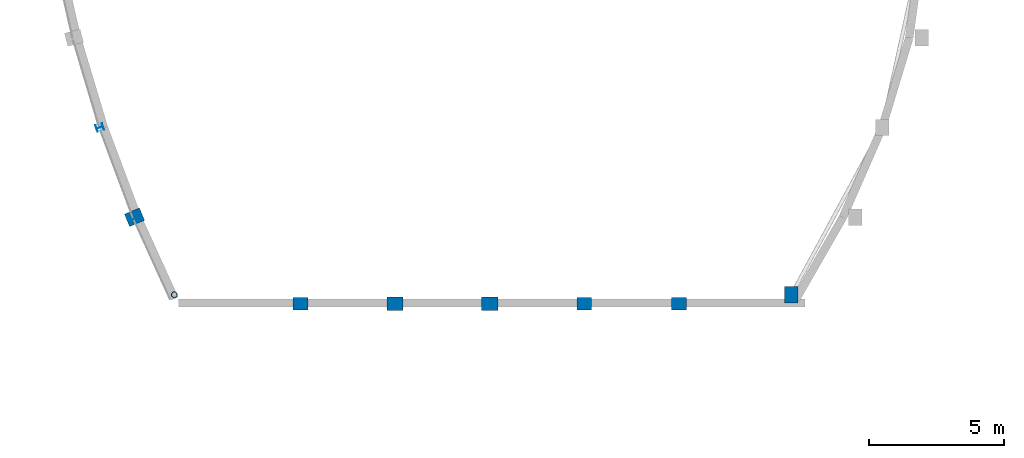
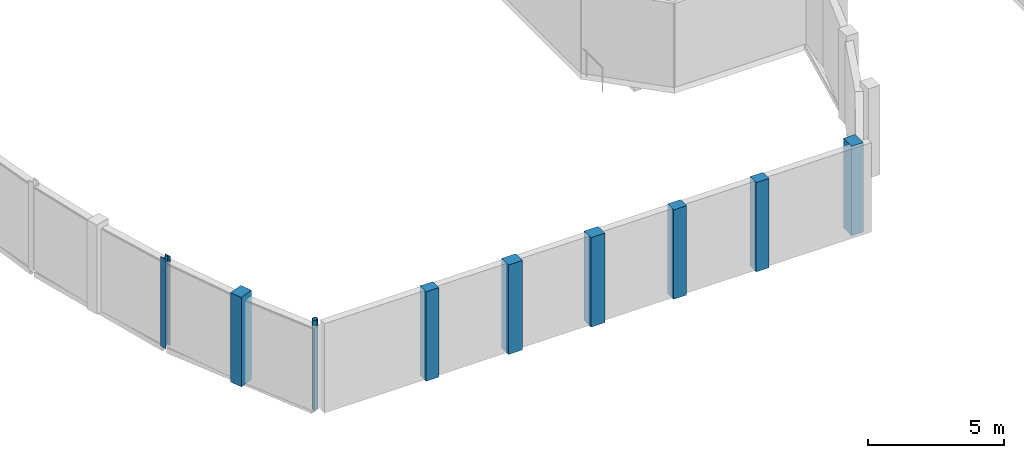
# One storey, part 1 of 92: 9 columns.
"""IFC4 building model written with IfcOpenShell, lengths in metres."""

from ifc_helpers import new_model, si_unit, direction, frame, origin, origin_2d, place, context, subcontext, project, spatial, rectangle, hollow_circle, i_section, extrude, material, material_profile, profile_set, type_object, element, save


model = new_model("IFC4")

# Units and contexts
model_context = context("Model", 3, precision=1e-05, world=origin(), true_north=direction((0.0, 1.0)))
body_context = subcontext(model_context, "Body", "Model", "MODEL_VIEW")
ifc_project = project(units=[si_unit("LENGTHUNIT", "METRE"), si_unit("AREAUNIT", "SQUARE_METRE"), si_unit("VOLUMEUNIT", "CUBIC_METRE"), si_unit("PLANEANGLEUNIT", "RADIAN"), si_unit("MASSUNIT", "GRAM", prefix="KILO")], contexts=[model_context])

# Site, building, storey
site_placement = place(None, origin())
site = spatial("IfcSite", under=ifc_project, at=site_placement, CompositionType="ELEMENT")
building_placement = place(site_placement, origin())
building = spatial("IfcBuilding", under=site, at=building_placement, Name="Kelanivale Promenade Academy", CompositionType="ELEMENT")
storey_placement = place(building_placement, frame((0.0, 0.0, 8.199951171875)))
storey = spatial("IfcBuildingStorey", under=building, at=storey_placement, Name="L02", CompositionType="ELEMENT", Elevation=8.199951171875)

# Columns
ifc_material_1 = material(Name="Concrete C40/50", Category="concrete")
ifc_material_profile_1 = material_profile(ifc_material_1, rectangle(XDim=0.449951171875, YDim=0.550048828125, at=origin_2d()), Name="RC-PIL 450x550")
ifc_profile_set_1 = profile_set([ifc_material_profile_1], Name="Concrete C40/50")
column_type_1 = type_object("IfcColumnType", Name="PL-17 RC-PIL 450x550", PredefinedType="PILASTER", material=ifc_profile_set_1)
for number, where, z_axis, x_axis, name in (
    (1, (12.52001953125, 33.1201171875, 0.0), (0.0, 0.0, 1.0), (0.0, 1.0, 0.0), "Column PL-17 at (12.5, 33.1) L02"),
    (2, (22.9990234375, 33.1201171875, 0.0), (0.0, 0.0, 1.0), (0.0, 1.0, 0.0), "Column PL-17 at (23.0, 33.1) L02"),
    (3, (26.491943359375, 33.1201171875, 0.0), (0.0, 0.0, 1.0), (0.0, 1.0, 0.0), "Column PL-17 at (26.5, 33.1) L02"),
):
    element("IfcColumn", number, at=place(storey_placement, frame(where, z_axis=z_axis, x_axis=x_axis)), inside=storey, type_object=column_type_1, Name=name, PredefinedType="PILASTER", context=body_context, shape_type="SweptSolid", body=[
        extrude(rectangle(XDim=0.449951171875, YDim=0.550048828125, at=origin_2d()), origin(), (0.0, 0.0, 1.0), 4.0),
    ])
ifc_material_profile_2 = material_profile(ifc_material_1, rectangle(XDim=0.5, YDim=0.60009765625, at=origin_2d()), Name="RC-PIL 500x600")
ifc_profile_set_2 = profile_set([ifc_material_profile_2], Name="Concrete C40/50")
column_type_2 = type_object("IfcColumnType", Name="PL-18 RC-PIL 500x600", PredefinedType="PILASTER", material=ifc_profile_set_2)
for number, where, z_axis, x_axis, name in (
    (4, (6.39306640625, 36.31396484375, 0.0), (0.0, 0.0, 1.0), (-0.382360914263, 0.92401305794, 0.0), "Column PL-18 at (6.4, 36.3) L02"),
    (5, (16.012939453125, 33.1201171875, 0.0), (0.0, 0.0, 1.0), (0.0, 1.0, 0.0), "Column PL-18 at (16.0, 33.1) L02"),
    (6, (19.506103515625, 33.1201171875, 0.0), (0.0, 0.0, 1.0), (0.0, 1.0, 0.0), "Column PL-18 at (19.5, 33.1) L02"),
    (7, (30.64990234375, 33.449951171875, 0.0), (0.0, 0.0, 1.0), (1.0, 0.0, 0.0), "Column PL-18 at (30.6, 33.5) L02"),
):
    element("IfcColumn", number, at=place(storey_placement, frame(where, z_axis=z_axis, x_axis=x_axis)), inside=storey, type_object=column_type_2, Name=name, PredefinedType="PILASTER", context=body_context, shape_type="SweptSolid", body=[
        extrude(rectangle(XDim=0.5, YDim=0.60009765625, at=origin_2d()), origin(), (0.0, 0.0, 1.0), 4.0),
    ])
ifc_material_2 = material(Name="Steel S355", Category="steel")
ifc_material_profile_3 = material_profile(ifc_material_2, i_section(OverallWidth=0.25634765625, OverallDepth=0.26025390625, WebThickness=0.01025390625, FlangeThickness=0.017333984375, FilletRadius=0.0126953125, at=origin_2d()), Name="UC 254x254x89")
ifc_profile_set_3 = profile_set([ifc_material_profile_3], Name="Steel S355")
column_type_3 = type_object("IfcColumnType", Name="SC-03 UC 254x254x89", PredefinedType="COLUMN", material=ifc_profile_set_3)
column_1_placement = place(storey_placement, frame((5.111083984375, 39.62890625, 0.0), z_axis=(0.0, 0.0, 1.0), x_axis=(-0.318628456287, 0.947879690069, 0.0)))
element("IfcColumn", 8, at=column_1_placement, inside=storey, type_object=column_type_3, Name="Column SC-03 at (5.1, 39.6) L02", PredefinedType="COLUMN", context=body_context, shape_type="SweptSolid", body=[
    extrude(i_section(OverallWidth=0.25634765625, OverallDepth=0.26025390625, WebThickness=0.01025390625, FlangeThickness=0.017333984375, FilletRadius=0.0126953125, at=origin_2d()), origin(), (0.0, 0.0, 1.0), 4.0),
])
ifc_material_profile_4 = material_profile(ifc_material_2, hollow_circle(Radius=0.109619140625, WallThickness=0.010009765625, at=origin_2d()), Name="CHS 219.1x10.0")
ifc_profile_set_4 = profile_set([ifc_material_profile_4], Name="Steel S355")
column_type_4 = type_object("IfcColumnType", Name="SC-06 CHS 219.1x10.0", PredefinedType="PILASTER", material=ifc_profile_set_4)
column_2_placement = place(storey_placement, frame((7.862060546875, 33.449951171875, 0.0), z_axis=(0.0, 0.0, 1.0), x_axis=(-0.44619781311, 0.894934361602, 0.0)))
element("IfcColumn", 9, at=column_2_placement, inside=storey, type_object=column_type_4, Name="Column SC-06 at (7.9, 33.5) L02", PredefinedType="PILASTER", context=body_context, shape_type="SweptSolid", body=[
    extrude(hollow_circle(Radius=0.109619140625, WallThickness=0.010009765625, at=origin_2d()), origin(), (0.0, 0.0, 1.0), 4.0),
])

save(model, "model.ifc")
